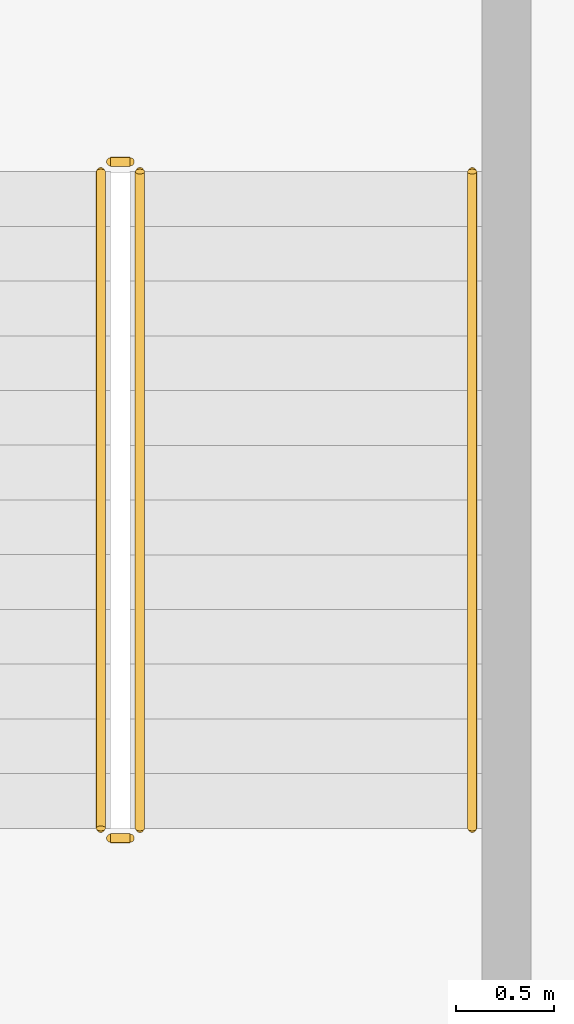
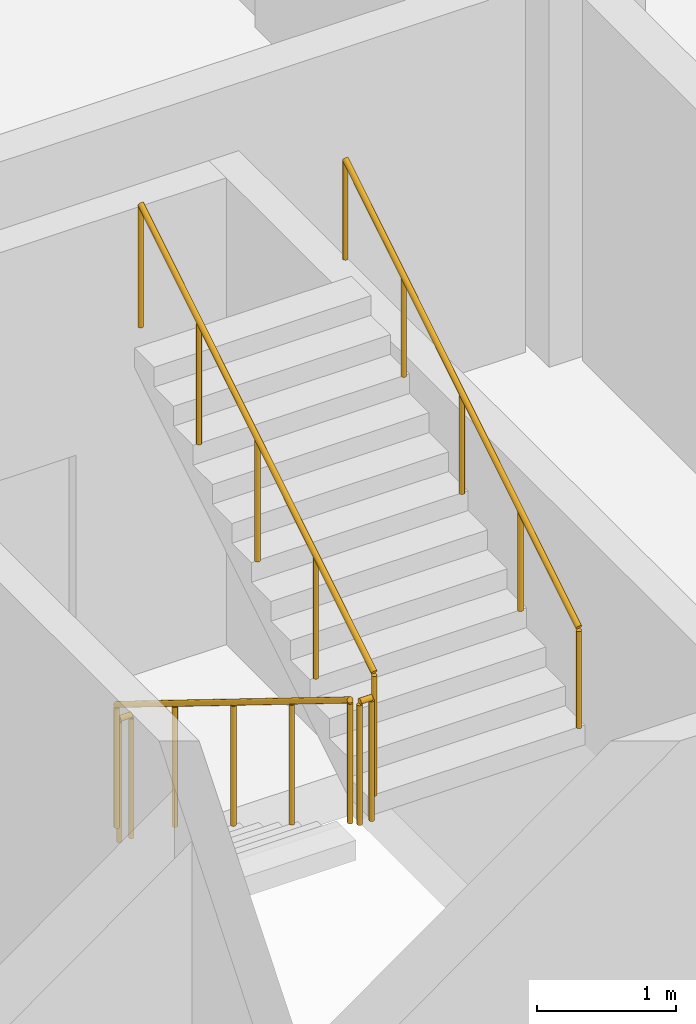
# One storey, part 33 of 38: 5 railings.
"""IFC4 building model written with IfcOpenShell, lengths in metres."""

from ifc_helpers import new_model, si_unit, direction, frame, origin, origin_2d, place, context, subcontext, project, spatial, circle, extrude, material, type_object, element, save


model = new_model("IFC4")

# Units and contexts
model_context = context("Model", 3, precision=1e-05, world=origin(), true_north=direction((0.0, 1.0)))
body_context = subcontext(model_context, "Body", "Model", "MODEL_VIEW")
ifc_project = project(units=[si_unit("LENGTHUNIT", "METRE"), si_unit("AREAUNIT", "SQUARE_METRE"), si_unit("VOLUMEUNIT", "CUBIC_METRE"), si_unit("PLANEANGLEUNIT", "RADIAN"), si_unit("MASSUNIT", "GRAM", prefix="KILO")], contexts=[model_context])

# Site, building, storey
site_placement = place(None, origin())
site = spatial("IfcSite", under=ifc_project, at=site_placement, CompositionType="ELEMENT")
building_placement = place(site_placement, origin())
building = spatial("IfcBuilding", under=site, at=building_placement, Name="Kilnfold Tower and Market Hall", CompositionType="ELEMENT")
storey_placement = place(building_placement, frame((0.0, 0.0, 9.0)))
storey = spatial("IfcBuildingStorey", under=building, at=storey_placement, Name="L01", CompositionType="ELEMENT", Elevation=9.0)

# Railings
ifc_material_1 = material(Name="Steel S355", Category="steel")
railing_type_1 = type_object("IfcRailingType", Name="HALL STAIR GUARD 1100", PredefinedType="GUARDRAIL", material=ifc_material_1)
railing_1_placement = place(storey_placement, frame((-48.75, 13.300048828125, 0.173095703125)))
element("IfcRailing", 1, at=railing_1_placement, inside=storey, type_object=railing_type_1, Name="L01 MS2 stair guard 1", PredefinedType="GUARDRAIL", context=body_context, shape_type="SweptSolid", body=[
    extrude(circle(Radius=0.02392578125, at=origin_2d()), frame((0.0, 0.0, 1.076171875), z_axis=(0.0, -0.850623216509, 0.525775754039), x_axis=(1.0, 0.0, 0.0)), (0.0, 0.0, 1.0), 3.9501953125),
    extrude(circle(Radius=0.02099609375, at=origin_2d()), origin(), (0.0, 0.0, 1.0), 1.052001953125),
    extrude(circle(Radius=0.02099609375, at=origin_2d()), frame((0.0, -0.840087890625, 0.519287109375)), (0.0, 0.0, 1.0), 1.052001953125),
    extrude(circle(Radius=0.02099609375, at=origin_2d()), frame((0.0, -1.68017578125, 1.03857421875)), (0.0, 0.0, 1.0), 1.052001953125),
    extrude(circle(Radius=0.02099609375, at=origin_2d()), frame((0.0, -2.52001953125, 1.5576171875)), (0.0, 0.0, 1.0), 1.052001953125),
    extrude(circle(Radius=0.02099609375, at=origin_2d()), frame((0.0, -3.360107421875, 2.076904296875)), (0.0, 0.0, 1.0), 1.052001953125),
])
railing_2_placement = place(storey_placement, frame((-48.699951171875, 9.889892578125, 2.25)))
element("IfcRailing", 2, at=railing_2_placement, inside=storey, type_object=railing_type_1, Name="L01 MS2 stair guard 2", PredefinedType="GUARDRAIL", context=body_context, shape_type="SweptSolid", body=[
    extrude(circle(Radius=0.02392578125, at=origin_2d()), frame((0.0, 0.0, 1.076171875), z_axis=(1.0, 0.0, 0.0), x_axis=(0.0, 1.0, 0.0)), (0.0, 0.0, 1.0), 0.099853515625),
    extrude(circle(Radius=0.02099609375, at=origin_2d()), origin(), (0.0, 0.0, 1.0), 1.052001953125),
    extrude(circle(Radius=0.02099609375, at=origin_2d()), frame((0.099853515625, 0.0, 0.0)), (0.0, 0.0, 1.0), 1.052001953125),
])
railing_3_placement = place(storey_placement, frame((-48.550048828125, 9.93994140625, 2.423095703125)))
element("IfcRailing", 3, at=railing_3_placement, inside=storey, type_object=railing_type_1, Name="L01 MS2 stair guard 3", PredefinedType="GUARDRAIL", context=body_context, shape_type="SweptSolid", body=[
    extrude(circle(Radius=0.02392578125, at=origin_2d()), frame((0.0, 0.0, 1.076171875), z_axis=(0.0, 0.850623216509, 0.525775754039), x_axis=(-1.0, 0.0, 0.0)), (0.0, 0.0, 1.0), 3.9501953125),
    extrude(circle(Radius=0.02099609375, at=origin_2d()), origin(), (0.0, 0.0, 1.0), 1.052001953125),
    extrude(circle(Radius=0.02099609375, at=origin_2d()), frame((0.0, 0.840087890625, 0.519287109375)), (0.0, 0.0, 1.0), 1.052001953125),
    extrude(circle(Radius=0.02099609375, at=origin_2d()), frame((0.0, 1.68017578125, 1.03857421875)), (0.0, 0.0, 1.0), 1.052001953125),
    extrude(circle(Radius=0.02099609375, at=origin_2d()), frame((0.0, 2.52001953125, 1.5576171875)), (0.0, 0.0, 1.0), 1.052001953125),
    extrude(circle(Radius=0.02099609375, at=origin_2d()), frame((0.0, 3.360107421875, 2.076904296875)), (0.0, 0.0, 1.0), 1.052001953125),
])
railing_4_placement = place(storey_placement, frame((-48.699951171875, 13.35009765625, 0.0)))
element("IfcRailing", 4, at=railing_4_placement, inside=storey, type_object=railing_type_1, Name="L01 MS2 stair guard 4", PredefinedType="GUARDRAIL", context=body_context, shape_type="SweptSolid", body=[
    extrude(circle(Radius=0.02392578125, at=origin_2d()), frame((0.0, 0.0, 1.076171875), z_axis=(1.0, 0.0, 0.0), x_axis=(0.0, 1.0, 0.0)), (0.0, 0.0, 1.0), 0.099853515625),
    extrude(circle(Radius=0.02099609375, at=origin_2d()), origin(), (0.0, 0.0, 1.0), 1.052001953125),
    extrude(circle(Radius=0.02099609375, at=origin_2d()), frame((0.099853515625, 0.0, 0.0)), (0.0, 0.0, 1.0), 1.052001953125),
])
ifc_material_2 = material(Name="Steel S355", Category="steel")
railing_type_2 = type_object("IfcRailingType", Name="HALL STAIR HANDRAIL", PredefinedType="HANDRAIL", material=ifc_material_2)
railing_5_placement = place(storey_placement, frame((-46.85009765625, 9.93994140625, 2.423095703125)))
element("IfcRailing", 5, at=railing_5_placement, inside=storey, type_object=railing_type_2, Name="L01 MS2 stair handrail 2", PredefinedType="HANDRAIL", context=body_context, shape_type="SweptSolid", body=[
    extrude(circle(Radius=0.02392578125, at=origin_2d()), frame((0.0, 0.0, 0.8759765625), z_axis=(0.0, 0.850623216509, 0.525775754039), x_axis=(-1.0, 0.0, 0.0)), (0.0, 0.0, 1.0), 3.9501953125),
    extrude(circle(Radius=0.02099609375, at=origin_2d()), origin(), (0.0, 0.0, 1.0), 0.851806640625),
    extrude(circle(Radius=0.02099609375, at=origin_2d()), frame((0.0, 0.840087890625, 0.519287109375)), (0.0, 0.0, 1.0), 0.851806640625),
    extrude(circle(Radius=0.02099609375, at=origin_2d()), frame((0.0, 1.68017578125, 1.03857421875)), (0.0, 0.0, 1.0), 0.851806640625),
    extrude(circle(Radius=0.02099609375, at=origin_2d()), frame((0.0, 2.52001953125, 1.5576171875)), (0.0, 0.0, 1.0), 0.851806640625),
    extrude(circle(Radius=0.02099609375, at=origin_2d()), frame((0.0, 3.360107421875, 2.076904296875)), (0.0, 0.0, 1.0), 0.851806640625),
])

save(model, "model.ifc")
